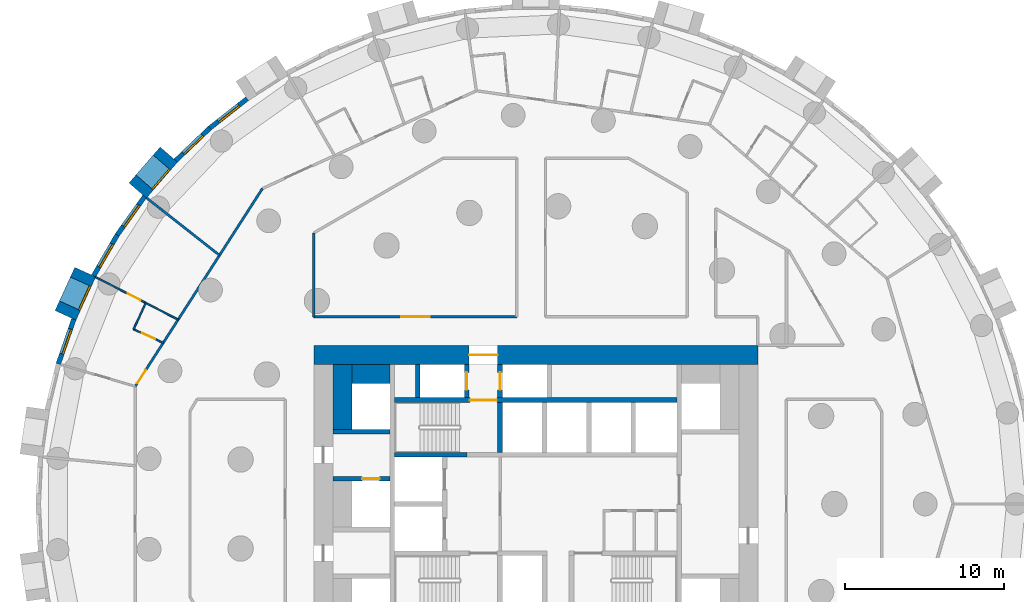
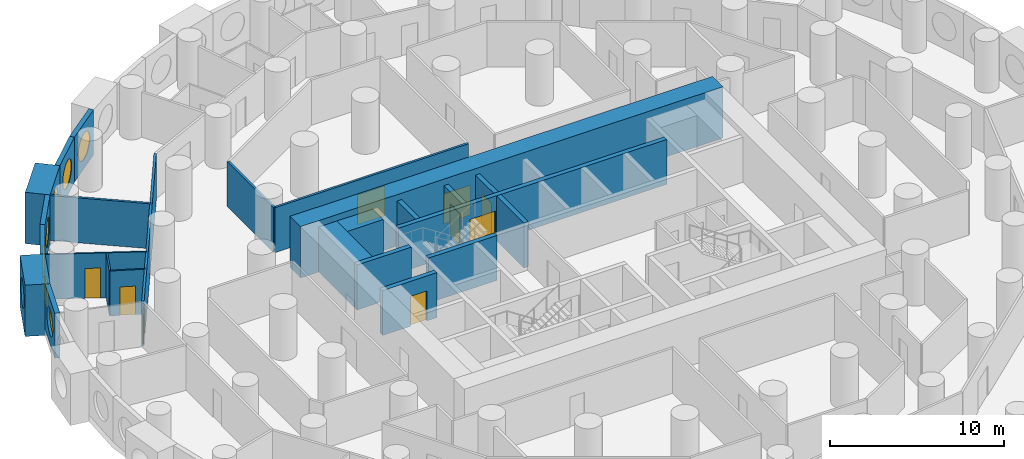
# One storey, part 7 of 12: 26 walls, 9 doors, 7 windows, 16 openings.
"""IFC4 building model written with IfcOpenShell, lengths in metres."""

from ifc_helpers import new_model, si_unit, direction, frame, frame_2d, origin, origin_2d, place, context, subcontext, project, spatial, rectangle, circle, extrude, material, layer, layer_set, type_object, element, fill, save


model = new_model("IFC4")

# Units and contexts
model_context = context("Model", 3, precision=1e-05, world=origin(), true_north=direction((0.0, 1.0)))
body_context = subcontext(model_context, "Body", "Model", "MODEL_VIEW")
ifc_project = project(units=[si_unit("LENGTHUNIT", "METRE"), si_unit("AREAUNIT", "SQUARE_METRE"), si_unit("VOLUMEUNIT", "CUBIC_METRE"), si_unit("PLANEANGLEUNIT", "RADIAN"), si_unit("MASSUNIT", "GRAM", prefix="KILO")], contexts=[model_context])

# Site, building, storey
site_placement = place(None, origin())
site = spatial("IfcSite", under=ifc_project, at=site_placement, CompositionType="ELEMENT")
building_placement = place(site_placement, origin())
building = spatial("IfcBuilding", under=site, at=building_placement, Name="Tracery Tower", CompositionType="ELEMENT")
storey_placement = place(building_placement, frame((0.0, 0.0, 57.0)))
storey = spatial("IfcBuildingStorey", under=building, at=storey_placement, Name="L13", CompositionType="ELEMENT", Elevation=57.0)

# Walls
ifc_material_1 = material(Name="Concrete C60/75", Category="concrete")
ifc_layer_1 = layer(ifc_material_1, 1.199951171875)
ifc_layer_set_1 = layer_set([ifc_layer_1], Name="Core strip wall 1200 C60")
wall_type_1 = type_object("IfcWallType", Name="Core strip wall 1200 C60", PredefinedType="SOLIDWALL", material=ifc_layer_set_1)
wall_1_placement = place(storey_placement, frame((-12.199951171875, 4.699951171875, 0.0), z_axis=(0.0, 0.0, 1.0), x_axis=(0.0, 1.0, 0.0)))
element("IfcWall", 1, at=wall_1_placement, inside=storey, type_object=wall_type_1, Name="L13 wing strip -1 4.55", PredefinedType="SOLIDWALL", context=body_context, shape_type="SweptSolid", body=[
    extrude(rectangle(XDim=4.10009765625, YDim=1.199951171875, at=frame_2d((2.050048828125, 0.0))), origin(), (0.0, 0.0, 1.0), 3.14990234375),
])
wall_2_placement = place(storey_placement, frame((-11.60009765625, 8.199951171875, 0.0), z_axis=(0.0, 0.0, 1.0), x_axis=(1.0, 0.0, 0.0)))
element("IfcWall", 2, at=wall_2_placement, inside=storey, type_object=wall_type_1, Name="L13 wing corner -1 +8.2", PredefinedType="SOLIDWALL", context=body_context, shape_type="SweptSolid", body=[
    extrude(rectangle(XDim=2.400146484375, YDim=1.199951171875, at=frame_2d((1.2001953125, 0.0))), origin(), (0.0, 0.0, 1.0), 3.14990234375),
])

# Wall, opening, door
ifc_material_2 = material(Name="Concrete C60/75", Category="concrete")
ifc_layer_2 = layer(ifc_material_2, 1.199951171875)
ifc_layer_set_2 = layer_set([ifc_layer_2], Name="Core wall 1200 C60")
wall_type_2 = type_object("IfcWallType", Name="Core wall 1200 C60", PredefinedType="SOLIDWALL", material=ifc_layer_set_2)
wall_3_placement = place(storey_placement, frame((-14.0, 9.39990234375, 0.0), z_axis=(0.0, 0.0, 1.0), x_axis=(1.0, 0.0, 0.0)))
wall_3 = element("IfcWall", 3, at=wall_3_placement, inside=storey, type_object=wall_type_2, Name="L13 outer N", PredefinedType="SOLIDWALL", context=body_context, shape_type="SweptSolid", body=[
    extrude(rectangle(XDim=28.0, YDim=1.199951171875, at=frame_2d((14.0, 0.0))), origin(), (0.0, 0.0, 1.0), 3.60009765625),
])
opening_1_placement = place(wall_3_placement, frame((9.800048828125, 0.0, 0.0)))
opening_1 = element("IfcOpeningElement", 4, at=opening_1_placement, cuts=wall_3, Name="Opening KD13", PredefinedType="OPENING", context=body_context, shape_type="SweptSolid", body=[
    extrude(rectangle(XDim=1.800048828125, YDim=2.10009765625, at=frame_2d((0.89990234375, 1.050048828125))), frame((0.0, 0.60009765625, 0.0), z_axis=(0.0, -1.0, 0.0), x_axis=(1.0, 0.0, 0.0)), (0.0, 0.0, 1.0), 1.199951171875),
])
ifc_material_3 = material(Name="Steel fire door", Category="steel")
door_type_1 = type_object("IfcDoorType", Name="Core exit door 1800 double", OperationType="NOTDEFINED", PredefinedType="DOOR", material=ifc_material_3)
door_1_placement = place(opening_1_placement, origin())
door_1 = element("IfcDoor", 5, at=door_1_placement, inside=storey, type_object=door_type_1, Name="Core exit door", OperationType="DOUBLE_DOOR_SINGLE_SWING", OverallHeight=2.10009765625, OverallWidth=1.800048828125, PredefinedType="DOOR", context=body_context, shape_type="SweptSolid", body=[
    extrude(rectangle(XDim=1.800048828125, YDim=2.10009765625, at=frame_2d((0.89990234375, 1.050048828125))), frame((0.0, 0.02490234375, 0.0), z_axis=(0.0, -1.0, 0.0), x_axis=(1.0, 0.0, 0.0)), (0.0, 0.0, 1.0), 0.050048828125),
])
fill(opening_1, door_1)

# Wall, opening, window
ifc_material_4 = material(Name="Precast concrete C50/60", Category="concrete")
ifc_layer_3 = layer(ifc_material_4, 1.449951171875)
ifc_layer_set_3 = layer_set([ifc_layer_3], Name="Deep-set bay unit 3000 x 3600, slab edge 450")
wall_type_3 = type_object("IfcWallType", Name="Deep-set bay unit 3000 x 3600, slab edge 450", PredefinedType="ELEMENTEDWALL", material=ifc_layer_set_3)
wall_4_placement = place(storey_placement, frame((-23.13671875, 22.03271484375, -0.449951171875), z_axis=(0.0, 0.0, 1.0), x_axis=(-0.654890259022, -0.75572398972, 0.0)))
wall_4 = element("IfcWall", 6, at=wall_4_placement, inside=storey, type_object=wall_type_3, Name="Deep-set bay unit 26 at L13", PredefinedType="ELEMENTEDWALL", context=body_context, shape_type="SweptSolid", body=[
    extrude(rectangle(XDim=3.0, YDim=1.449951171875, at=frame_2d((1.5, 0.0))), origin(), (0.0, 0.0, 1.0), 3.599853515625),
])
opening_2_placement = place(wall_4_placement, frame((1.5, 0.0, 2.0)))
opening_2 = element("IfcOpeningElement", 7, at=opening_2_placement, cuts=wall_4, Name="Opening WN1", PredefinedType="OPENING", context=body_context, shape_type="SweptSolid", body=[
    extrude(circle(Radius=0.9000244140625, at=origin_2d()), frame((0.0, 0.73486328125, 0.0), z_axis=(0.0, -1.0, 0.0), x_axis=(1.0, 0.0, 0.0)), (0.0, 0.0, 1.0), 1.469970703125),
])
ifc_material_5 = material(Name="Aluminium frame with tinted double glazing", Category="aluminium")
window_type = type_object("IfcWindowType", Name="Round window 1800", PartitioningType="SINGLE_PANEL", PredefinedType="WINDOW", material=ifc_material_5)
window_1_placement = place(opening_2_placement, origin())
window_1 = element("IfcWindow", 8, at=window_1_placement, inside=storey, type_object=window_type, Name="Round window 26 at L13", OverallHeight=1.800048828125, OverallWidth=1.800048828125, PartitioningType="SINGLE_PANEL", PredefinedType="WINDOW", context=body_context, shape_type="SweptSolid", body=[
    extrude(circle(Radius=0.9000244140625, at=origin_2d()), frame((0.0, 0.69482421875, 0.0), z_axis=(0.0, -1.0, 0.0), x_axis=(1.0, 0.0, 0.0)), (0.0, 0.0, 1.0), 0.10009765625),
])
fill(opening_2, window_1)

wall_5_placement = place(storey_placement, frame((-28.40673828125, 14.6220703125, -0.449951171875), z_axis=(0.0, 0.0, 1.0), x_axis=(-0.415427028395, -0.909626508012, 0.0)))
wall_5 = element("IfcWall", 9, at=wall_5_placement, inside=storey, type_object=wall_type_3, Name="Deep-set bay unit 29 at L13", PredefinedType="ELEMENTEDWALL", context=body_context, shape_type="SweptSolid", body=[
    extrude(rectangle(XDim=3.000244140625, YDim=1.449951171875, at=frame_2d((1.5, 0.0))), origin(), (0.0, 0.0, 1.0), 3.599853515625),
])
opening_3_placement = place(wall_5_placement, frame((1.5, 0.0, 2.0)))
opening_3 = element("IfcOpeningElement", 10, at=opening_3_placement, cuts=wall_5, Name="Opening WN1", PredefinedType="OPENING", context=body_context, shape_type="SweptSolid", body=[
    extrude(circle(Radius=0.9000244140625, at=origin_2d()), frame((0.0, 0.73486328125, 0.0), z_axis=(0.0, -1.0, 0.0), x_axis=(1.0, 0.0, 0.0)), (0.0, 0.0, 1.0), 1.469970703125),
])
window_2_placement = place(opening_3_placement, origin())
window_2 = element("IfcWindow", 11, at=window_2_placement, inside=storey, type_object=window_type, Name="Round window 29 at L13", OverallHeight=1.800048828125, OverallWidth=1.800048828125, PartitioningType="SINGLE_PANEL", PredefinedType="WINDOW", context=body_context, shape_type="SweptSolid", body=[
    extrude(circle(Radius=0.9000244140625, at=origin_2d()), frame((0.0, 0.69482421875, 0.0), z_axis=(0.0, -1.0, 0.0), x_axis=(1.0, 0.0, 0.0)), (0.0, 0.0, 1.0), 0.10009765625),
])
fill(opening_3, window_2)

ifc_material_6 = material(Name="Precast concrete C50/60", Category="concrete")
ifc_layer_4 = layer(ifc_material_6, 0.300048828125)
ifc_layer_set_4 = layer_set([ifc_layer_4], Name="Facade panel 3000 x 3150")
wall_type_4 = type_object("IfcWallType", Name="Facade panel 3000 x 3150", PredefinedType="SOLIDWALL", material=ifc_layer_set_4)
wall_6_placement = place(storey_placement, frame((-18.20361328125, 25.55322265625, 0.0), z_axis=(0.0, 0.0, 1.0), x_axis=(-0.786045331304, -0.618168858108, 0.0)))
wall_6 = element("IfcWall", 12, at=wall_6_placement, inside=storey, type_object=wall_type_4, Name="Facade panel 24 at L13", PredefinedType="SOLIDWALL", context=body_context, shape_type="SweptSolid", body=[
    extrude(rectangle(XDim=2.979736328125, YDim=0.300048828125, at=frame_2d((1.48974609375, 0.0))), origin(), (0.0, 0.0, 1.0), 3.14990234375),
])
opening_4_placement = place(wall_6_placement, frame((1.48974609375, 0.0, 1.5498046875)))
opening_4 = element("IfcOpeningElement", 13, at=opening_4_placement, cuts=wall_6, Name="Opening WN1", PredefinedType="OPENING", context=body_context, shape_type="SweptSolid", body=[
    extrude(circle(Radius=0.9000244140625, at=origin_2d()), frame((0.0, 0.159912109375, 0.0), z_axis=(0.0, -1.0, 0.0), x_axis=(1.0, 0.0, 0.0)), (0.0, 0.0, 1.0), 0.320068359375),
])
window_3_placement = place(opening_4_placement, origin())
window_3 = element("IfcWindow", 14, at=window_3_placement, inside=storey, type_object=window_type, Name="Round window 24 at L13", OverallHeight=1.800048828125, OverallWidth=1.800048828125, PartitioningType="SINGLE_PANEL", PredefinedType="WINDOW", context=body_context, shape_type="SweptSolid", body=[
    extrude(circle(Radius=0.9000244140625, at=origin_2d()), frame((0.0, 0.1201171875, 0.0), z_axis=(0.0, -1.0, 0.0), x_axis=(1.0, 0.0, 0.0)), (0.0, 0.0, 1.0), 0.10009765625),
])
fill(opening_4, window_3)

wall_7_placement = place(storey_placement, frame((-20.5458984375, 23.711181640625, 0.0), z_axis=(0.0, 0.0, 1.0), x_axis=(-0.723744206617, -0.690068346896, 0.0)))
wall_7 = element("IfcWall", 15, at=wall_7_placement, inside=storey, type_object=wall_type_4, Name="Facade panel 25 at L13", PredefinedType="SOLIDWALL", context=body_context, shape_type="SweptSolid", body=[
    extrude(rectangle(XDim=2.979736328125, YDim=0.300048828125, at=frame_2d((1.48974609375, 0.0))), origin(), (0.0, 0.0, 1.0), 3.14990234375),
])
opening_5_placement = place(wall_7_placement, frame((1.48974609375, 0.0, 1.5498046875)))
opening_5 = element("IfcOpeningElement", 16, at=opening_5_placement, cuts=wall_7, Name="Opening WN1", PredefinedType="OPENING", context=body_context, shape_type="SweptSolid", body=[
    extrude(circle(Radius=0.9000244140625, at=origin_2d()), frame((0.0, 0.159912109375, 0.0), z_axis=(0.0, -1.0, 0.0), x_axis=(1.0, 0.0, 0.0)), (0.0, 0.0, 1.0), 0.320068359375),
])
window_4_placement = place(opening_5_placement, origin())
window_4 = element("IfcWindow", 17, at=window_4_placement, inside=storey, type_object=window_type, Name="Round window 25 at L13", OverallHeight=1.800048828125, OverallWidth=1.800048828125, PartitioningType="SINGLE_PANEL", PredefinedType="WINDOW", context=body_context, shape_type="SweptSolid", body=[
    extrude(circle(Radius=0.9000244140625, at=origin_2d()), frame((0.0, 0.1201171875, 0.0), z_axis=(0.0, -1.0, 0.0), x_axis=(1.0, 0.0, 0.0)), (0.0, 0.0, 1.0), 0.10009765625),
])
fill(opening_5, window_4)

wall_8_placement = place(storey_placement, frame((-24.66552734375, 19.389404296875, 0.0), z_axis=(0.0, 0.0, 1.0), x_axis=(-0.580059407678, -0.81457417315, 0.0)))
wall_8 = element("IfcWall", 18, at=wall_8_placement, inside=storey, type_object=wall_type_4, Name="Facade panel 27 at L13", PredefinedType="SOLIDWALL", context=body_context, shape_type="SweptSolid", body=[
    extrude(rectangle(XDim=2.9794921875, YDim=0.300048828125, at=frame_2d((1.48974609375, 0.0))), origin(), (0.0, 0.0, 1.0), 3.14990234375),
])
opening_6_placement = place(wall_8_placement, frame((1.48974609375, 0.0, 1.5498046875)))
opening_6 = element("IfcOpeningElement", 19, at=opening_6_placement, cuts=wall_8, Name="Opening WN1", PredefinedType="OPENING", context=body_context, shape_type="SweptSolid", body=[
    extrude(circle(Radius=0.9000244140625, at=origin_2d()), frame((0.0, 0.159912109375, 0.0), z_axis=(0.0, -1.0, 0.0), x_axis=(1.0, 0.0, 0.0)), (0.0, 0.0, 1.0), 0.320068359375),
])
window_5_placement = place(opening_6_placement, origin())
window_5 = element("IfcWindow", 20, at=window_5_placement, inside=storey, type_object=window_type, Name="Round window 27 at L13", OverallHeight=1.800048828125, OverallWidth=1.800048828125, PartitioningType="SINGLE_PANEL", PredefinedType="WINDOW", context=body_context, shape_type="SweptSolid", body=[
    extrude(circle(Radius=0.9000244140625, at=origin_2d()), frame((0.0, 0.1201171875, 0.0), z_axis=(0.0, -1.0, 0.0), x_axis=(1.0, 0.0, 0.0)), (0.0, 0.0, 1.0), 0.10009765625),
])
fill(opening_6, window_5)

wall_9_placement = place(storey_placement, frame((-26.393798828125, 16.96240234375, 0.0), z_axis=(0.0, 0.0, 1.0), x_axis=(-0.500025049464, -0.866010940986, 0.0)))
wall_9 = element("IfcWall", 21, at=wall_9_placement, inside=storey, type_object=wall_type_4, Name="Facade panel 28 at L13", PredefinedType="SOLIDWALL", context=body_context, shape_type="SweptSolid", body=[
    extrude(rectangle(XDim=2.979736328125, YDim=0.300048828125, at=frame_2d((1.48974609375, 0.0))), origin(), (0.0, 0.0, 1.0), 3.14990234375),
])
opening_7_placement = place(wall_9_placement, frame((1.48974609375, 0.0, 1.5498046875)))
opening_7 = element("IfcOpeningElement", 22, at=opening_7_placement, cuts=wall_9, Name="Opening WN1", PredefinedType="OPENING", context=body_context, shape_type="SweptSolid", body=[
    extrude(circle(Radius=0.9000244140625, at=origin_2d()), frame((0.0, 0.159912109375, 0.0), z_axis=(0.0, -1.0, 0.0), x_axis=(1.0, 0.0, 0.0)), (0.0, 0.0, 1.0), 0.320068359375),
])
window_6_placement = place(opening_7_placement, origin())
window_6 = element("IfcWindow", 23, at=window_6_placement, inside=storey, type_object=window_type, Name="Round window 28 at L13", OverallHeight=1.800048828125, OverallWidth=1.800048828125, PartitioningType="SINGLE_PANEL", PredefinedType="WINDOW", context=body_context, shape_type="SweptSolid", body=[
    extrude(circle(Radius=0.9000244140625, at=origin_2d()), frame((0.0, 0.1201171875, 0.0), z_axis=(0.0, -1.0, 0.0), x_axis=(1.0, 0.0, 0.0)), (0.0, 0.0, 1.0), 0.10009765625),
])
fill(opening_7, window_6)

wall_10_placement = place(storey_placement, frame((-29.12890625, 11.655029296875, 0.0), z_axis=(0.0, 0.0, 1.0), x_axis=(-0.327071167136, -0.944999709856, 0.0)))
wall_10 = element("IfcWall", 24, at=wall_10_placement, inside=storey, type_object=wall_type_4, Name="Facade panel 30 at L13", PredefinedType="SOLIDWALL", context=body_context, shape_type="SweptSolid", body=[
    extrude(rectangle(XDim=2.979736328125, YDim=0.300048828125, at=frame_2d((1.48974609375, 0.0))), origin(), (0.0, 0.0, 1.0), 3.14990234375),
])
opening_8_placement = place(wall_10_placement, frame((1.48974609375, 0.0, 1.5498046875)))
opening_8 = element("IfcOpeningElement", 25, at=opening_8_placement, cuts=wall_10, Name="Opening WN1", PredefinedType="OPENING", context=body_context, shape_type="SweptSolid", body=[
    extrude(circle(Radius=0.9000244140625, at=origin_2d()), frame((0.0, 0.159912109375, 0.0), z_axis=(0.0, -1.0, 0.0), x_axis=(1.0, 0.0, 0.0)), (0.0, 0.0, 1.0), 0.320068359375),
])
window_7_placement = place(opening_8_placement, origin())
window_7 = element("IfcWindow", 26, at=window_7_placement, inside=storey, type_object=window_type, Name="Round window 30 at L13", OverallHeight=1.800048828125, OverallWidth=1.800048828125, PartitioningType="SINGLE_PANEL", PredefinedType="WINDOW", context=body_context, shape_type="SweptSolid", body=[
    extrude(circle(Radius=0.9000244140625, at=origin_2d()), frame((0.0, 0.1201171875, 0.0), z_axis=(0.0, -1.0, 0.0), x_axis=(1.0, 0.0, 0.0)), (0.0, 0.0, 1.0), 0.10009765625),
])
fill(opening_8, window_7)

# Wall, opening, door
ifc_material_7 = material(Name="Plasterboard on steel studs", Category="steel")
ifc_layer_5 = layer(ifc_material_7, 0.10009765625)
ifc_layer_set_5 = layer_set([ifc_layer_5], Name="Partition 100 stud")
wall_type_5 = type_object("IfcWallType", Name="Partition 100 stud", PredefinedType="PARTITIONING", material=ifc_layer_set_5)
wall_11_placement = place(storey_placement, frame((-27.7529296875, 14.30810546875, 0.0), z_axis=(0.0, 0.0, 1.0), x_axis=(0.888816732692, -0.45826282381, 0.0)))
wall_11 = element("IfcWall", 27, at=wall_11_placement, inside=storey, type_object=wall_type_5, Name="Stud partition RA3-087", PredefinedType="PARTITIONING", context=body_context, shape_type="SweptSolid", body=[
    extrude(rectangle(XDim=3.55078125, YDim=0.10009765625, at=frame_2d((1.775390625, 0.0))), origin(), (0.0, 0.0, 1.0), 3.14990234375),
])
opening_9_placement = place(wall_11_placement, frame((2.27490234375, 0.0, 0.0)))
opening_9 = element("IfcOpeningElement", 28, at=opening_9_placement, cuts=wall_11, Name="Opening RA3-29", PredefinedType="OPENING", context=body_context, shape_type="SweptSolid", body=[
    extrude(rectangle(XDim=0.89990234375, YDim=2.10009765625, at=frame_2d((0.449951171875, 1.050048828125))), frame((0.0, 0.050048828125, 0.0), z_axis=(0.0, -1.0, 0.0), x_axis=(1.0, 0.0, 0.0)), (0.0, 0.0, 1.0), 0.10009765625),
])
ifc_material_8 = material(Name="Timber door leaf", Category="wood")
door_type_2 = type_object("IfcDoorType", Name="Door bedroom 900", OperationType="NOTDEFINED", PredefinedType="DOOR", material=ifc_material_8)
door_2_placement = place(opening_9_placement, origin())
door_2 = element("IfcDoor", 29, at=door_2_placement, inside=storey, type_object=door_type_2, Name="Bedroom door RA3-29", OperationType="SINGLE_SWING_RIGHT", OverallHeight=2.10009765625, OverallWidth=0.89990234375, PredefinedType="DOOR", context=body_context, shape_type="SweptSolid", body=[
    extrude(rectangle(XDim=0.89990234375, YDim=2.10009765625, at=frame_2d((0.449951171875, 1.050048828125))), frame((0.0, 0.02490234375, 0.0), z_axis=(0.0, -1.0, 0.0), x_axis=(1.0, 0.0, 0.0)), (0.0, 0.0, 1.0), 0.050048828125),
])
fill(opening_9, door_2)

# Wall
ifc_material_9 = material(Name="Plasterboard on steel studs", Category="steel")
ifc_layer_6 = layer(ifc_material_9, 0.10009765625)
ifc_layer_set_6 = layer_set([ifc_layer_6], Name="Partition 100 wet wall")
wall_type_6 = type_object("IfcWallType", Name="Partition 100 wet wall", PredefinedType="PARTITIONING", material=ifc_layer_set_6)
wall_12_placement = place(storey_placement, frame((-25.35791015625, 11.014892578125, 0.0), z_axis=(0.0, 0.0, 1.0), x_axis=(0.415479380762, 0.909602596831, 0.0)))
element("IfcWall", 30, at=wall_12_placement, inside=storey, type_object=wall_type_6, Name="Wet wall RA3-089", PredefinedType="PARTITIONING", context=body_context, shape_type="SweptSolid", body=[
    extrude(rectangle(XDim=1.83154296875, YDim=0.10009765625, at=frame_2d((0.915771484375, 0.0))), origin(), (0.0, 0.0, 1.0), 3.14990234375),
])

# Wall, opening, door
wall_13_placement = place(storey_placement, frame((-25.35791015625, 11.014892578125, 0.0), z_axis=(0.0, 0.0, 1.0), x_axis=(0.909620690235, -0.415439766868, 0.0)))
wall_13 = element("IfcWall", 31, at=wall_13_placement, inside=storey, type_object=wall_type_6, Name="Wet wall RA3-090", PredefinedType="PARTITIONING", context=body_context, shape_type="SweptSolid", body=[
    extrude(rectangle(XDim=2.0556640625, YDim=0.10009765625, at=frame_2d((1.02783203125, 0.0))), origin(), (0.0, 0.0, 1.0), 3.14990234375),
])
opening_10_placement = place(wall_13_placement, frame((0.577880859375, 0.0, 0.0)))
opening_10 = element("IfcOpeningElement", 32, at=opening_10_placement, cuts=wall_13, Name="Opening RA3-31", PredefinedType="OPENING", context=body_context, shape_type="SweptSolid", body=[
    extrude(rectangle(XDim=0.89990234375, YDim=2.0, at=frame_2d((0.449951171875, 1.0))), frame((0.0, 0.050048828125, 0.0), z_axis=(0.0, -1.0, 0.0), x_axis=(1.0, 0.0, 0.0)), (0.0, 0.0, 1.0), 0.10009765625),
])
ifc_material_10 = material(Name="Timber door leaf", Category="wood")
door_type_3 = type_object("IfcDoorType", Name="Door shower room 900", OperationType="NOTDEFINED", PredefinedType="DOOR", material=ifc_material_10)
door_3_placement = place(opening_10_placement, origin())
door_3 = element("IfcDoor", 33, at=door_3_placement, inside=storey, type_object=door_type_3, Name="Shower room door RA3-31", OperationType="SINGLE_SWING_RIGHT", OverallHeight=2.0, OverallWidth=0.89990234375, PredefinedType="DOOR", context=body_context, shape_type="SweptSolid", body=[
    extrude(rectangle(XDim=0.89990234375, YDim=2.0, at=frame_2d((0.449951171875, 1.0))), frame((0.0, 0.02490234375, 0.0), z_axis=(0.0, -1.0, 0.0), x_axis=(1.0, 0.0, 0.0)), (0.0, 0.0, 1.0), 0.050048828125),
])
fill(opening_10, door_3)

# Walls
wall_14_placement = place(storey_placement, frame((-24.60107421875, 12.68310546875, 0.0), z_axis=(0.0, 0.0, 1.0), x_axis=(0.888712343697, -0.458465233317, 0.0)))
element("IfcWall", 34, at=wall_14_placement, inside=storey, type_object=wall_type_6, Name="Wet wall RA3-091", PredefinedType="PARTITIONING", context=body_context, shape_type="SweptSolid", body=[
    extrude(rectangle(XDim=2.31005859375, YDim=0.10009765625, at=frame_2d((1.155029296875, 0.0))), origin(), (0.0, 0.0, 1.0), 3.14990234375),
])
ifc_material_11 = material(Name="Plasterboard on steel studs", Category="steel")
ifc_layer_7 = layer(ifc_material_11, 0.14990234375)
ifc_layer_set_7 = layer_set([ifc_layer_7], Name="Partition 150 acoustic unit wall")
wall_type_7 = type_object("IfcWallType", Name="Partition 150 acoustic unit wall", PredefinedType="PARTITIONING", material=ifc_layer_set_7)
wall_15_placement = place(storey_placement, frame((-24.5439453125, 19.302001953125, 0.0), z_axis=(0.0, 0.0, 1.0), x_axis=(0.786014513829, -0.618208042693, 0.0)))
element("IfcWall", 35, at=wall_15_placement, inside=storey, type_object=wall_type_7, Name="Unit wall RA3-086", PredefinedType="PARTITIONING", context=body_context, shape_type="SweptSolid", body=[
    extrude(rectangle(XDim=5.857421875, YDim=0.14990234375, at=frame_2d((2.9287109375, 0.0))), origin(), (0.0, 0.0, 1.0), 3.14990234375),
])

# Wall, opening, door
ifc_material_12 = material(Name="Plasterboard on steel studs", Category="steel")
ifc_layer_8 = layer(ifc_material_12, 0.14990234375)
ifc_layer_set_8 = layer_set([ifc_layer_8], Name="Partition 150 corridor wall")
wall_type_8 = type_object("IfcWallType", Name="Partition 150 corridor wall", PredefinedType="PARTITIONING", material=ifc_layer_set_8)
wall_16_placement = place(storey_placement, frame((-14.00390625, 11.800048828125, 0.0), z_axis=(0.0, 0.0, 1.0), x_axis=(1.0, 0.0, 0.0)))
wall_16 = element("IfcWall", 36, at=wall_16_placement, inside=storey, type_object=wall_type_8, Name="Corridor wall RA3-001", PredefinedType="PARTITIONING", context=body_context, shape_type="SweptSolid", body=[
    extrude(rectangle(XDim=12.81591796875, YDim=0.14990234375, at=frame_2d((6.407958984375, 0.0))), origin(), (0.0, 0.0, 1.0), 3.14990234375),
])
opening_11_placement = place(wall_16_placement, frame((5.508056640625, 0.0, 0.0)))
opening_11 = element("IfcOpeningElement", 37, at=opening_11_placement, cuts=wall_16, Name="Opening RA3-01", PredefinedType="OPENING", context=body_context, shape_type="SweptSolid", body=[
    extrude(rectangle(XDim=1.800048828125, YDim=2.10009765625, at=frame_2d((0.89990234375, 1.050048828125))), frame((0.0, 0.074951171875, 0.0), z_axis=(0.0, -1.0, 0.0), x_axis=(1.0, 0.0, 0.0)), (0.0, 0.0, 1.0), 0.14990234375),
])
ifc_material_13 = material(Name="Timber door leaf", Category="wood")
door_type_4 = type_object("IfcDoorType", Name="Door double lounge 1800", OperationType="NOTDEFINED", PredefinedType="DOOR", material=ifc_material_13)
door_4_placement = place(opening_11_placement, origin())
door_4 = element("IfcDoor", 38, at=door_4_placement, inside=storey, type_object=door_type_4, Name="Double lounge door RA3-01", OperationType="DOUBLE_DOOR_SINGLE_SWING", OverallHeight=2.10009765625, OverallWidth=1.800048828125, PredefinedType="DOOR", context=body_context, shape_type="SweptSolid", body=[
    extrude(rectangle(XDim=1.800048828125, YDim=2.10009765625, at=frame_2d((0.89990234375, 1.050048828125))), frame((0.0, 0.02490234375, 0.0), z_axis=(0.0, -1.0, 0.0), x_axis=(1.0, 0.0, 0.0)), (0.0, 0.0, 1.0), 0.050048828125),
])
fill(opening_11, door_4)

# Wall
wall_17_placement = place(storey_placement, frame((-14.0, 11.800048828125, 0.0), z_axis=(0.0, 0.0, 1.0), x_axis=(0.0, 1.0, 0.0)))
element("IfcWall", 39, at=wall_17_placement, inside=storey, type_object=wall_type_8, Name="Corridor wall RA3-028", PredefinedType="PARTITIONING", context=body_context, shape_type="SweptSolid", body=[
    extrude(rectangle(XDim=5.2919921875, YDim=0.14990234375, at=frame_2d((2.64599609375, 0.0))), origin(), (0.0, 0.0, 1.0), 3.14990234375),
])

# Wall, opening, door
wall_18_placement = place(storey_placement, frame((-25.2548828125, 7.416259765625, 0.0), z_axis=(0.0, 0.0, 1.0), x_axis=(0.540805851332, 0.841147449123, 0.0)))
wall_18 = element("IfcWall", 40, at=wall_18_placement, inside=storey, type_object=wall_type_8, Name="Corridor wall RA3-037", PredefinedType="PARTITIONING", context=body_context, shape_type="SweptSolid", body=[
    extrude(rectangle(XDim=14.829345703125, YDim=0.14990234375, at=frame_2d((7.41455078125, 0.0))), origin(), (0.0, 0.0, 1.0), 3.14990234375),
])
opening_12_placement = place(wall_18_placement, frame((0.23388671875, 0.0, 0.0)))
opening_12 = element("IfcOpeningElement", 41, at=opening_12_placement, cuts=wall_18, Name="Opening RA3-32", PredefinedType="OPENING", context=body_context, shape_type="SweptSolid", body=[
    extrude(rectangle(XDim=1.0, YDim=2.10009765625, at=frame_2d((0.5, 1.050048828125))), frame((0.0, 0.074951171875, 0.0), z_axis=(0.0, -1.0, 0.0), x_axis=(1.0, 0.0, 0.0)), (0.0, 0.0, 1.0), 0.14990234375),
])
ifc_material_14 = material(Name="Timber door leaf", Category="wood")
door_type_5 = type_object("IfcDoorType", Name="Door unit entrance 1000", OperationType="NOTDEFINED", PredefinedType="DOOR", material=ifc_material_14)
door_5_placement = place(opening_12_placement, origin())
door_5 = element("IfcDoor", 42, at=door_5_placement, inside=storey, type_object=door_type_5, Name="Unit entrance door RA3-32", OperationType="SINGLE_SWING_LEFT", OverallHeight=2.10009765625, OverallWidth=1.0, PredefinedType="DOOR", context=body_context, shape_type="SweptSolid", body=[
    extrude(rectangle(XDim=1.0, YDim=2.10009765625, at=frame_2d((0.5, 1.050048828125))), frame((0.0, 0.02490234375, 0.0), z_axis=(0.0, -1.0, 0.0), x_axis=(1.0, 0.0, 0.0)), (0.0, 0.0, 1.0), 0.050048828125),
])
fill(opening_12, door_5)

# Wall
ifc_material_15 = material(Name="Concrete C60/75", Category="concrete")
ifc_layer_9 = layer(ifc_material_15, 0.300048828125)
ifc_layer_set_9 = layer_set([ifc_layer_9], Name="Shaft wall 300 C60")
wall_type_9 = type_object("IfcWallType", Name="Shaft wall 300 C60", PredefinedType="SOLIDWALL", material=ifc_layer_set_9)
wall_19_placement = place(storey_placement, frame((-7.449951171875, 6.699951171875, 0.0), z_axis=(0.0, 0.0, 1.0), x_axis=(0.0, 1.0, 0.0)))
element("IfcWall", 43, at=wall_19_placement, inside=storey, type_object=wall_type_9, Name="L13 LR sep -7.45", PredefinedType="SOLIDWALL", context=body_context, shape_type="SweptSolid", body=[
    extrude(rectangle(XDim=2.10009765625, YDim=0.300048828125, at=frame_2d((1.050048828125, 0.0))), origin(), (0.0, 0.0, 1.0), 3.14990234375),
])

# Wall, opening, door
wall_20_placement = place(storey_placement, frame((-4.35009765625, 6.699951171875, 0.0), z_axis=(0.0, 0.0, 1.0), x_axis=(0.0, 1.0, 0.0)))
wall_20 = element("IfcWall", 44, at=wall_20_placement, inside=storey, type_object=wall_type_9, Name="L13 LR sep -4.35", PredefinedType="SOLIDWALL", context=body_context, shape_type="SweptSolid", body=[
    extrude(rectangle(XDim=2.10009765625, YDim=0.300048828125, at=frame_2d((1.050048828125, 0.0))), origin(), (0.0, 0.0, 1.0), 3.14990234375),
])
opening_13_placement = place(wall_20_placement, frame((0.5, 0.0, 0.0)))
opening_13 = element("IfcOpeningElement", 45, at=opening_13_placement, cuts=wall_20, Name="Opening KD50", PredefinedType="OPENING", context=body_context, shape_type="SweptSolid", body=[
    extrude(rectangle(XDim=1.10009765625, YDim=2.10009765625, at=frame_2d((0.550048828125, 1.050048828125))), frame((0.0, 0.14990234375, 0.0), z_axis=(0.0, -1.0, 0.0), x_axis=(1.0, 0.0, 0.0)), (0.0, 0.0, 1.0), 0.300048828125),
])
ifc_material_16 = material(Name="Steel fire door", Category="steel")
door_type_6 = type_object("IfcDoorType", Name="Landing door 1100", OperationType="NOTDEFINED", PredefinedType="DOOR", material=ifc_material_16)
door_6_placement = place(opening_13_placement, origin())
door_6 = element("IfcDoor", 46, at=door_6_placement, inside=storey, type_object=door_type_6, Name="Landing door LR3", OperationType="SLIDING_TO_RIGHT", OverallHeight=2.10009765625, OverallWidth=1.10009765625, PredefinedType="DOOR", context=body_context, shape_type="SweptSolid", body=[
    extrude(rectangle(XDim=1.10009765625, YDim=2.10009765625, at=frame_2d((0.550048828125, 1.050048828125))), frame((0.0, 0.02490234375, 0.0), z_axis=(0.0, -1.0, 0.0), x_axis=(1.0, 0.0, 0.0)), (0.0, 0.0, 1.0), 0.050048828125),
])
fill(opening_13, door_6)

# Wall
wall_21_placement = place(storey_placement, frame((-12.800048828125, 4.550048828125, 0.0), z_axis=(0.0, 0.0, 1.0), x_axis=(1.0, 0.0, 0.0)))
element("IfcWall", 47, at=wall_21_placement, inside=storey, type_object=wall_type_9, Name="L13 wing shaft wall -1 +4.55", PredefinedType="SOLIDWALL", context=body_context, shape_type="SweptSolid", body=[
    extrude(rectangle(XDim=3.60009765625, YDim=0.300048828125, at=frame_2d((1.800048828125, 0.0))), origin(), (0.0, 0.0, 1.0), 3.14990234375),
])

# Wall, opening, door
wall_22_placement = place(storey_placement, frame((-12.800048828125, 1.60009765625, 0.0), z_axis=(0.0, 0.0, 1.0), x_axis=(1.0, 0.0, 0.0)))
wall_22 = element("IfcWall", 48, at=wall_22_placement, inside=storey, type_object=wall_type_9, Name="L13 wing shaft wall -1 +1.60", PredefinedType="SOLIDWALL", context=body_context, shape_type="SweptSolid", body=[
    extrude(rectangle(XDim=3.60009765625, YDim=0.300048828125, at=frame_2d((1.800048828125, 0.0))), origin(), (0.0, 0.0, 1.0), 3.14990234375),
])
opening_14_placement = place(wall_22_placement, frame((1.85009765625, 0.0, 0.0)))
opening_14 = element("IfcOpeningElement", 49, at=opening_14_placement, cuts=wall_22, Name="Opening KD50", PredefinedType="OPENING", context=body_context, shape_type="SweptSolid", body=[
    extrude(rectangle(XDim=1.10009765625, YDim=2.10009765625, at=frame_2d((0.550048828125, 1.050048828125))), frame((0.0, 0.14990234375, 0.0), z_axis=(0.0, -1.0, 0.0), x_axis=(1.0, 0.0, 0.0)), (0.0, 0.0, 1.0), 0.300048828125),
])
door_7_placement = place(opening_14_placement, origin())
door_7 = element("IfcDoor", 50, at=door_7_placement, inside=storey, type_object=door_type_6, Name="Landing door LR1", OperationType="SLIDING_TO_RIGHT", OverallHeight=2.10009765625, OverallWidth=1.10009765625, PredefinedType="DOOR", context=body_context, shape_type="SweptSolid", body=[
    extrude(rectangle(XDim=1.10009765625, YDim=2.10009765625, at=frame_2d((0.550048828125, 1.050048828125))), frame((0.0, 0.02490234375, 0.0), z_axis=(0.0, -1.0, 0.0), x_axis=(1.0, 0.0, 0.0)), (0.0, 0.0, 1.0), 0.050048828125),
])
fill(opening_14, door_7)

# Walls
ifc_material_17 = material(Name="Concrete C60/75", Category="concrete")
ifc_layer_10 = layer(ifc_material_17, 0.300048828125)
ifc_layer_set_10 = layer_set([ifc_layer_10], Name="Stair wall 300 C60")
wall_type_10 = type_object("IfcWallType", Name="Stair wall 300 C60", PredefinedType="SOLIDWALL", material=ifc_layer_set_10)
wall_23_placement = place(storey_placement, frame((-8.89990234375, 3.10009765625, 0.0), z_axis=(0.0, 0.0, 1.0), x_axis=(1.0, 0.0, 0.0)))
element("IfcWall", 51, at=wall_23_placement, inside=storey, type_object=wall_type_10, Name="L13 row N W", PredefinedType="SOLIDWALL", context=body_context, shape_type="SweptSolid", body=[
    extrude(rectangle(XDim=4.5498046875, YDim=0.300048828125, at=frame_2d((2.27490234375, 0.0))), origin(), (0.0, 0.0, 1.0), 3.14990234375),
])
wall_24_placement = place(storey_placement, frame((-2.25, 3.25, 0.0), z_axis=(0.0, 0.0, 1.0), x_axis=(0.0, 1.0, 0.0)))
element("IfcWall", 52, at=wall_24_placement, inside=storey, type_object=wall_type_10, Name="L13 ST3 E", PredefinedType="SOLIDWALL", context=body_context, shape_type="SweptSolid", body=[
    extrude(rectangle(XDim=3.14990234375, YDim=0.300048828125, at=frame_2d((1.574951171875, 0.0))), origin(), (0.0, 0.0, 1.0), 3.14990234375),
])

# Wall, opening, door
wall_25_placement = place(storey_placement, frame((-8.89990234375, 6.550048828125, 0.0), z_axis=(0.0, 0.0, 1.0), x_axis=(1.0, 0.0, 0.0)))
wall_25 = element("IfcWall", 53, at=wall_25_placement, inside=storey, type_object=wall_type_10, Name="L13 F N", PredefinedType="SOLIDWALL", context=body_context, shape_type="SweptSolid", body=[
    extrude(rectangle(XDim=17.7998046875, YDim=0.300048828125, at=frame_2d((8.89990234375, 0.0))), origin(), (0.0, 0.0, 1.0), 3.14990234375),
])
opening_15_placement = place(wall_25_placement, frame((4.75, 0.0, 0.0)))
opening_15 = element("IfcOpeningElement", 54, at=opening_15_placement, cuts=wall_25, Name="Opening KD3", PredefinedType="OPENING", context=body_context, shape_type="SweptSolid", body=[
    extrude(rectangle(XDim=1.699951171875, YDim=2.10009765625, at=frame_2d((0.85009765625, 1.050048828125))), frame((0.0, 0.14990234375, 0.0), z_axis=(0.0, -1.0, 0.0), x_axis=(1.0, 0.0, 0.0)), (0.0, 0.0, 1.0), 0.300048828125),
])
ifc_material_18 = material(Name="Steel fire door", Category="steel")
door_type_7 = type_object("IfcDoorType", Name="Core stair door 1700 double", OperationType="NOTDEFINED", PredefinedType="DOOR", material=ifc_material_18)
door_8_placement = place(opening_15_placement, origin())
door_8 = element("IfcDoor", 55, at=door_8_placement, inside=storey, type_object=door_type_7, Name="Stair door ST3 N", OperationType="DOUBLE_DOOR_SINGLE_SWING", OverallHeight=2.10009765625, OverallWidth=1.699951171875, PredefinedType="DOOR", context=body_context, shape_type="SweptSolid", body=[
    extrude(rectangle(XDim=1.699951171875, YDim=2.10009765625, at=frame_2d((0.85009765625, 1.050048828125))), frame((0.0, 0.02490234375, 0.0), z_axis=(0.0, -1.0, 0.0), x_axis=(1.0, 0.0, 0.0)), (0.0, 0.0, 1.0), 0.050048828125),
])
fill(opening_15, door_8)

wall_26_placement = place(storey_placement, frame((-2.25, 6.699951171875, 0.0), z_axis=(0.0, 0.0, 1.0), x_axis=(0.0, 1.0, 0.0)))
wall_26 = element("IfcWall", 56, at=wall_26_placement, inside=storey, type_object=wall_type_10, Name="L13 ST3 E out", PredefinedType="SOLIDWALL", context=body_context, shape_type="SweptSolid", body=[
    extrude(rectangle(XDim=2.10009765625, YDim=0.300048828125, at=frame_2d((1.050048828125, 0.0))), origin(), (0.0, 0.0, 1.0), 3.14990234375),
])
opening_16_placement = place(wall_26_placement, frame((0.5, 0.0, 0.0)))
opening_16 = element("IfcOpeningElement", 57, at=opening_16_placement, cuts=wall_26, Name="Opening KD49", PredefinedType="OPENING", context=body_context, shape_type="SweptSolid", body=[
    extrude(rectangle(XDim=1.10009765625, YDim=2.10009765625, at=frame_2d((0.550048828125, 1.050048828125))), frame((0.0, 0.14990234375, 0.0), z_axis=(0.0, -1.0, 0.0), x_axis=(1.0, 0.0, 0.0)), (0.0, 0.0, 1.0), 0.300048828125),
])
door_9_placement = place(opening_16_placement, origin())
door_9 = element("IfcDoor", 58, at=door_9_placement, inside=storey, type_object=door_type_6, Name="Landing door LR2", OperationType="SLIDING_TO_LEFT", OverallHeight=2.10009765625, OverallWidth=1.10009765625, PredefinedType="DOOR", context=body_context, shape_type="SweptSolid", body=[
    extrude(rectangle(XDim=1.10009765625, YDim=2.10009765625, at=frame_2d((0.550048828125, 1.050048828125))), frame((0.0, 0.02490234375, 0.0), z_axis=(0.0, -1.0, 0.0), x_axis=(1.0, 0.0, 0.0)), (0.0, 0.0, 1.0), 0.050048828125),
])
fill(opening_16, door_9)

save(model, "model.ifc")
